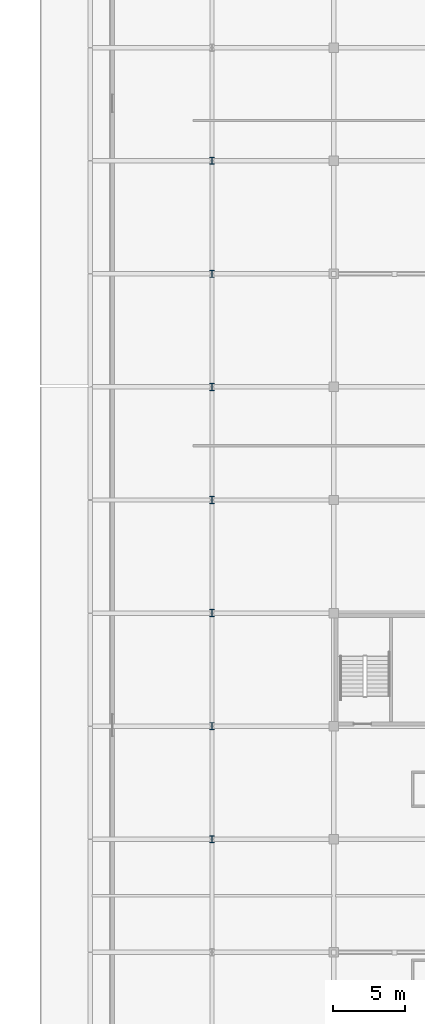
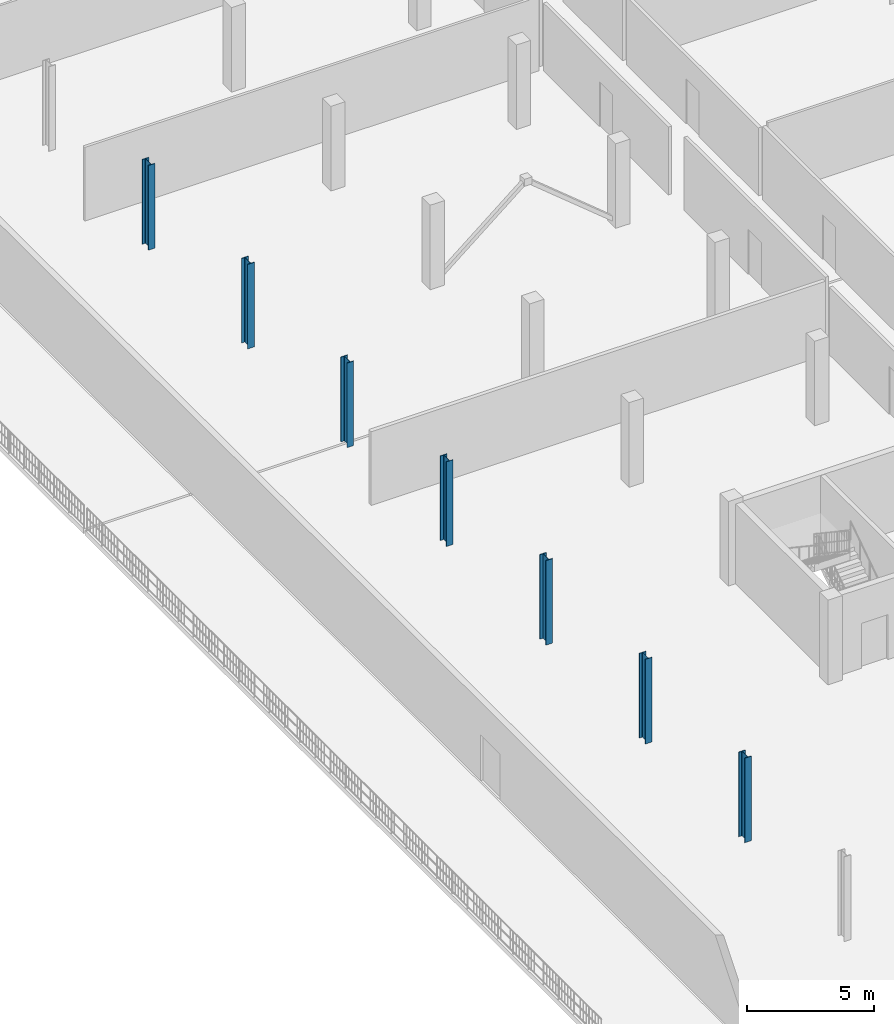
# One storey, part 2 of 41: 7 columns.
"""IFC4 building model written with IfcOpenShell, lengths in metres."""

from ifc_helpers import new_model, si_unit, direction, frame, origin, origin_2d, place, context, subcontext, project, spatial, i_section, extrude, material, material_profile, profile_set, type_object, element, save


model = new_model("IFC4")

# Units and contexts
model_context = context("Model", 3, precision=1e-05, world=origin(), true_north=direction((0.0, 1.0)))
body_context = subcontext(model_context, "Body", "Model", "MODEL_VIEW")
ifc_project = project(units=[si_unit("LENGTHUNIT", "METRE"), si_unit("AREAUNIT", "SQUARE_METRE"), si_unit("VOLUMEUNIT", "CUBIC_METRE"), si_unit("PLANEANGLEUNIT", "RADIAN"), si_unit("MASSUNIT", "GRAM", prefix="KILO")], contexts=[model_context])

# Site, building, storey
site_placement = place(None, origin())
site = spatial("IfcSite", under=ifc_project, at=site_placement, CompositionType="ELEMENT")
building_placement = place(site_placement, origin())
building = spatial("IfcBuilding", under=site, at=building_placement, Name="Nabrawat Pavilion Hospital", CompositionType="ELEMENT")
storey_placement = place(building_placement, frame((0.0, 0.0, 18.89990234375)))
storey = spatial("IfcBuildingStorey", under=building, at=storey_placement, Name="L04", CompositionType="ELEMENT", Elevation=18.89990234375)

# Columns
ifc_material = material(Name="Steel S355", Category="steel")
ifc_material_profile = material_profile(ifc_material, i_section(OverallWidth=0.300048828125, OverallDepth=0.5, WebThickness=0.014404296875, FlangeThickness=0.028076171875, FilletRadius=0.027099609375, at=origin_2d()), Name="HEB 500")
ifc_profile_set = profile_set([ifc_material_profile], Name="Steel S355")
column_type = type_object("IfcColumnType", Name="Composite Steel Column HEB 500", PredefinedType="COLUMN", material=ifc_profile_set)
for number, where, z_axis, x_axis, name in (
    (1, (142.800048828125, 54.60009765625, 0.0), (0.0, 0.0, 1.0), (1.0, 0.0, 0.0), "L04 Structural Column G-18-H"),
    (2, (142.800048828125, 62.39990234375, 0.0), (0.0, 0.0, 1.0), (1.0, 0.0, 0.0), "L04 Structural Column G-18-J"),
    (3, (142.800048828125, 70.199951171875, 0.0), (0.0, 0.0, 1.0), (1.0, 0.0, 0.0), "L04 Structural Column G-18-K"),
    (4, (142.800048828125, 78.0, 0.0), (0.0, 0.0, 1.0), (1.0, 0.0, 0.0), "L04 Structural Column G-18-L"),
    (5, (142.800048828125, 85.800048828125, 0.0), (0.0, 0.0, 1.0), (1.0, 0.0, 0.0), "L04 Structural Column G-18-M1"),
    (6, (142.800048828125, 93.60009765625, 0.0), (0.0, 0.0, 1.0), (1.0, 0.0, 0.0), "L04 Structural Column G-18-N"),
    (7, (142.800048828125, 101.39990234375, 0.0), (0.0, 0.0, 1.0), (1.0, 0.0, 0.0), "L04 Structural Column G-18-P"),
):
    element("IfcColumn", number, at=place(storey_placement, frame(where, z_axis=z_axis, x_axis=x_axis)), inside=storey, type_object=column_type, Name=name, PredefinedType="COLUMN", context=body_context, shape_type="SweptSolid", body=[
        extrude(i_section(OverallWidth=0.300048828125, OverallDepth=0.5, WebThickness=0.014404296875, FlangeThickness=0.028076171875, FilletRadius=0.027099609375, at=origin_2d()), origin(), (0.0, 0.0, 1.0), 4.050048828125),
    ])

save(model, "model.ifc")
